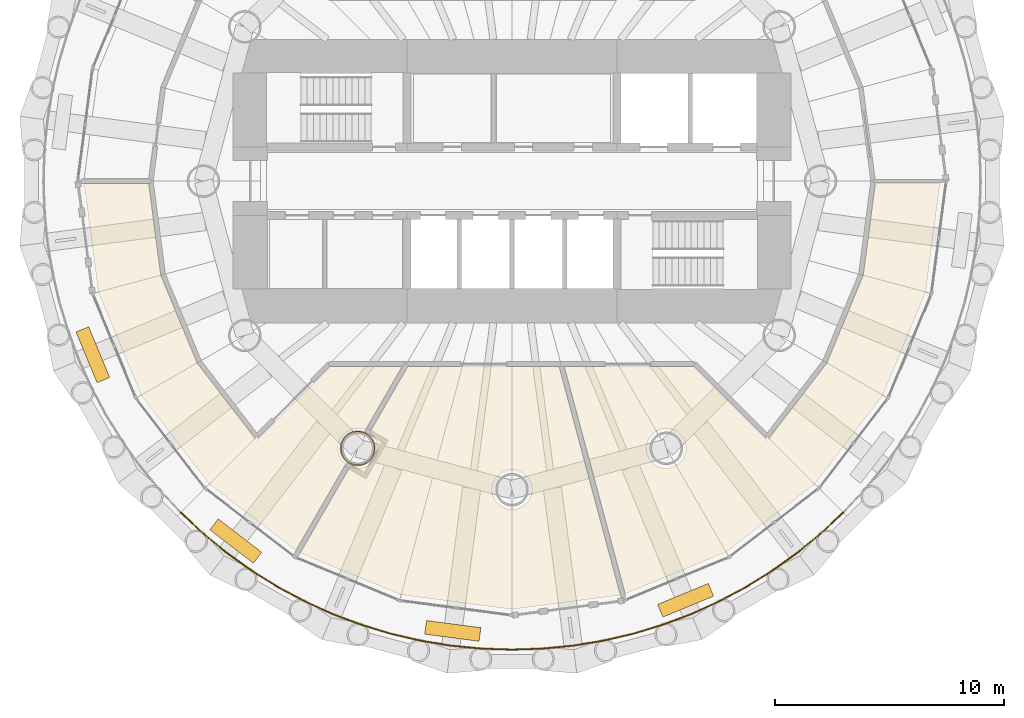
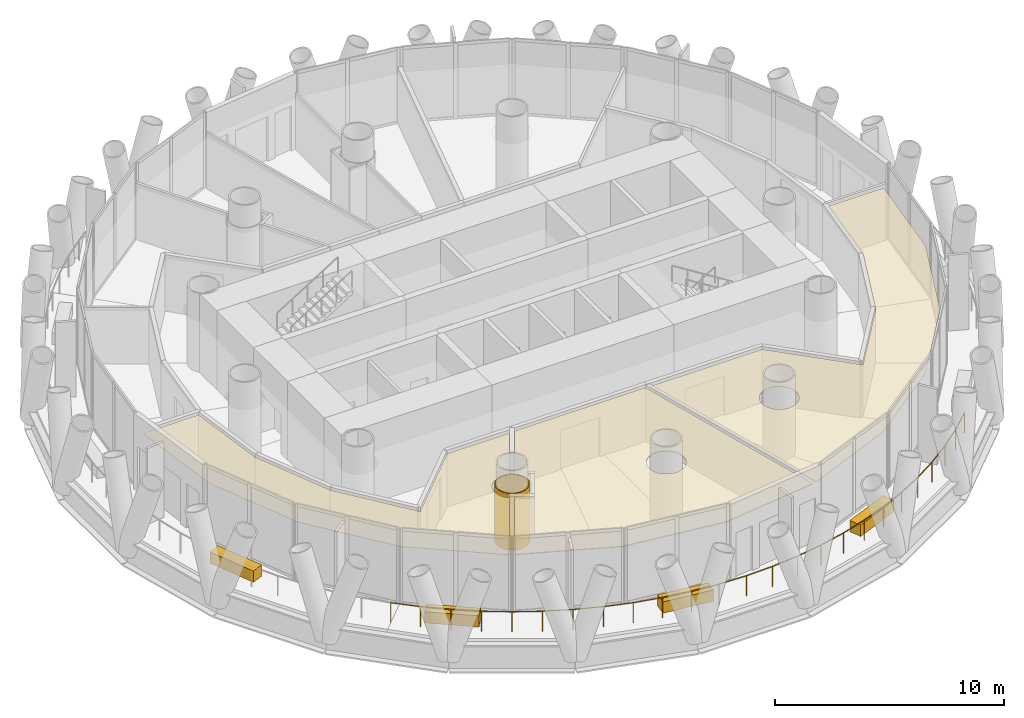
# One storey, part 13 of 16: 8 coverings, 1 railing.
"""IFC4 building model written with IfcOpenShell, lengths in metres."""

from ifc_helpers import new_model, si_unit, direction, frame, origin, origin_2d, place, context, subcontext, project, spatial, polyline, rectangle, circle, outline, extrude, material, layer, layer_set, type_object, element, save


model = new_model("IFC4")

# Units and contexts
model_context = context("Model", 3, precision=1e-05, world=origin(), true_north=direction((0.0, 1.0)))
body_context = subcontext(model_context, "Body", "Model", "MODEL_VIEW")
ifc_project = project(units=[si_unit("LENGTHUNIT", "METRE"), si_unit("AREAUNIT", "SQUARE_METRE"), si_unit("VOLUMEUNIT", "CUBIC_METRE"), si_unit("PLANEANGLEUNIT", "RADIAN"), si_unit("MASSUNIT", "GRAM", prefix="KILO")], contexts=[model_context])

# Site, building, storey
site_placement = place(None, origin())
site = spatial("IfcSite", under=ifc_project, at=site_placement, CompositionType="ELEMENT")
building_placement = place(site_placement, origin())
building = spatial("IfcBuilding", under=site, at=building_placement, Name="Qaws Media Tower", CompositionType="ELEMENT")
storey_placement = place(building_placement, frame((0.0, 0.0, 269.60009765625)))
storey = spatial("IfcBuildingStorey", under=building, at=storey_placement, Name="L62", CompositionType="ELEMENT", Elevation=269.60009765625)

# Covering
ifc_material_1 = material(Name="40 perforated acoustic panels with mineral wool backing, suspended", Category="mineral fibre")
ifc_layer_1 = layer(ifc_material_1, 0.0400390625)
ifc_layer_set_1 = layer_set([ifc_layer_1], Name="Acoustic panel ceiling 40")
covering_type_1 = type_object("IfcCoveringType", Name="Acoustic panel ceiling 40", PredefinedType="CEILING", material=ifc_layer_set_1)
covering_1_placement = place(storey_placement, frame((0.0, 0.0, 2.849853515625)))
element("IfcCovering", 1, at=covering_1_placement, inside=storey, type_object=covering_type_1, Name="CL3 ceiling L62-10 Board dining room", PredefinedType="CEILING", context=body_context, shape_type="SweptSolid", body=[
    extrude(outline(polyline([(60.0, 31.264892578125), (55.15087890625, 31.9033203125), (50.7373046875, 33.7314453125), (52.91552734375, 37.50439453125), (53.024658203125, 37.46728515625), (53.13623046875, 37.445068359375), (53.25, 37.437744140625), (53.36376953125, 37.445068359375), (53.475341796875, 37.46728515625), (53.583251953125, 37.50390625), (53.685546875, 37.55419921875), (53.7802734375, 37.61767578125), (53.865966796875, 37.69287109375), (53.94091796875, 37.7783203125), (54.00439453125, 37.873291015625), (54.0546875, 37.975341796875), (54.09130859375, 38.083251953125), (54.113525390625, 38.195068359375), (54.12109375, 38.30859375), (54.113525390625, 38.42236328125), (54.09130859375, 38.5341796875), (54.0546875, 38.64208984375), (54.00439453125, 38.744140625), (53.94091796875, 38.8388671875), (53.865966796875, 38.924560546875), (53.779296875, 39.000244140625), (55.446044921875, 41.887451171875), (62.057373046875, 41.887451171875), (64.736572265625, 31.88818359375), (60.0, 31.264892578125)]), holes=[polyline([(60.84130859375, 36.274658203125), (60.863525390625, 36.38623046875), (60.87109375, 36.5), (60.863525390625, 36.61376953125), (60.84130859375, 36.725341796875), (60.8046875, 36.833251953125), (60.75439453125, 36.935546875), (60.69091796875, 37.0302734375), (60.615966796875, 37.115966796875), (60.5302734375, 37.19091796875), (60.435546875, 37.25439453125), (60.333251953125, 37.3046875), (60.225341796875, 37.34130859375), (60.11376953125, 37.363525390625), (60.0, 37.37109375), (59.88623046875, 37.363525390625), (59.774658203125, 37.34130859375), (59.666748046875, 37.3046875), (59.564453125, 37.25439453125), (59.4697265625, 37.19091796875), (59.384033203125, 37.115966796875), (59.30908203125, 37.0302734375), (59.24560546875, 36.935546875), (59.1953125, 36.833251953125), (59.15869140625, 36.725341796875), (59.136474609375, 36.61376953125), (59.12890625, 36.5), (59.136474609375, 36.38623046875), (59.15869140625, 36.274658203125), (59.1953125, 36.166748046875), (59.24560546875, 36.064453125), (59.30908203125, 35.9697265625), (59.384033203125, 35.884033203125), (59.4697265625, 35.80908203125), (59.564453125, 35.74560546875), (59.666748046875, 35.6953125), (59.774658203125, 35.65869140625), (59.88623046875, 35.636474609375), (60.0, 35.62890625), (60.11376953125, 35.636474609375), (60.225341796875, 35.65869140625), (60.333251953125, 35.6953125), (60.435546875, 35.74560546875), (60.5302734375, 35.80908203125), (60.615966796875, 35.884033203125), (60.69091796875, 35.9697265625), (60.75439453125, 36.064453125), (60.8046875, 36.166748046875), (60.84130859375, 36.274658203125)])]), origin(), (0.0, 0.0, 1.0), 0.0400390625),
])

# Railing
ifc_material_2 = material(Name="Stainless steel and glass guard", Category="steel")
railing_type = type_object("IfcRailingType", Name="Balcony guard 1100", PredefinedType="GUARDRAIL", material=ifc_material_2)
railing_placement = place(storey_placement, frame((45.50439453125, 35.50439453125, 0.0)))
element("IfcRailing", 2, at=railing_placement, inside=storey, type_object=railing_type, Name="GR1 balcony guard L62-3", PredefinedType="GUARDRAIL", context=body_context, shape_type="SweptSolid", body=[
    extrude(circle(Radius=0.02392578125, at=origin_2d()), frame((0.0, 0.0, 1.076171875), z_axis=(0.729843627295, -0.683614130703, 0.0), x_axis=(0.683614130703, 0.729843627295, 0.0)), (0.0, 0.0, 1.0), 1.34130859375),
    extrude(circle(Radius=0.02392578125, at=origin_2d()), frame((0.97900390625, -0.9169921875, 1.076171875), z_axis=(0.773032183029, -0.634366805564, 0.0), x_axis=(0.634366805564, 0.773032183029, 0.0)), (0.0, 0.0, 1.0), 1.341552734375),
    extrude(circle(Radius=0.02392578125, at=origin_2d()), frame((2.01611328125, -1.76806640625, 1.076171875), z_axis=(0.812785530417, -0.582563027959, 0.0), x_axis=(0.582563027959, 0.812785530417, 0.0)), (0.0, 0.0, 1.0), 1.341552734375),
    extrude(circle(Radius=0.02392578125, at=origin_2d()), frame((3.1064453125, -2.549560546875, 1.076171875), z_axis=(0.849243416954, -0.528001532915, 0.0), x_axis=(0.528001532915, 0.849243416954, 0.0)), (0.0, 0.0, 1.0), 1.34130859375),
    extrude(circle(Radius=0.02392578125, at=origin_2d()), frame((4.24560546875, -3.2578125, 1.076171875), z_axis=(0.881863833412, -0.471504166812, 0.0), x_axis=(0.471504166812, 0.881863833412, 0.0)), (0.0, 0.0, 1.0), 1.341552734375),
    extrude(circle(Radius=0.02392578125, at=origin_2d()), frame((5.4287109375, -3.890380859375, 1.076171875), z_axis=(0.910914173392, -0.412595890326, 0.0), x_axis=(0.412595890326, 0.910914173392, 0.0)), (0.0, 0.0, 1.0), 1.34130859375),
    extrude(circle(Radius=0.02392578125, at=origin_2d()), frame((6.650634765625, -4.44384765625, 1.076171875), z_axis=(0.9358646247, -0.352359765348, 0.0), x_axis=(0.352359765348, 0.9358646247, 0.0)), (0.0, 0.0, 1.0), 1.34130859375),
    extrude(circle(Radius=0.02392578125, at=origin_2d()), frame((7.906005859375, -4.91650390625, 1.076171875), z_axis=(0.956940177108, -0.290285200169, 0.0), x_axis=(0.290285200169, 0.956940177108, 0.0)), (0.0, 0.0, 1.0), 1.341552734375),
    extrude(circle(Radius=0.02392578125, at=origin_2d()), frame((9.189697265625, -5.305908203125, 1.076171875), z_axis=(0.97387341283, -0.227091558149, 0.0), x_axis=(0.227091558149, 0.97387341283, 0.0)), (0.0, 0.0, 1.0), 1.341796875),
    extrude(circle(Radius=0.02392578125, at=origin_2d()), frame((10.496337890625, -5.610595703125, 1.076171875), z_axis=(0.986643645727, -0.162893573681, 0.0), x_axis=(0.162893573681, 0.986643645727, 0.0)), (0.0, 0.0, 1.0), 1.34130859375),
    extrude(circle(Radius=0.02392578125, at=origin_2d()), frame((11.81982421875, -5.8291015625, 1.076171875), z_axis=(0.995194503808, -0.097917820601, 0.0), x_axis=(0.097917820601, 0.995194503808, 0.0)), (0.0, 0.0, 1.0), 1.34130859375),
    extrude(circle(Radius=0.02392578125, at=origin_2d()), frame((13.15478515625, -5.96044921875, 1.076171875), z_axis=(0.999463333803, -0.03275735617, 0.0), x_axis=(0.03275735617, 0.999463333803, 0.0)), (0.0, 0.0, 1.0), 1.341552734375),
    extrude(circle(Radius=0.02392578125, at=origin_2d()), frame((14.49560546875, -6.00439453125, 1.076171875), z_axis=(0.999463333803, 0.03275735617, 0.0), x_axis=(-0.03275735617, 0.999463333803, 0.0)), (0.0, 0.0, 1.0), 1.341552734375),
    extrude(circle(Radius=0.02392578125, at=origin_2d()), frame((15.83642578125, -5.96044921875, 1.076171875), z_axis=(0.995194503808, 0.097917820601, 0.0), x_axis=(-0.097917820601, 0.995194503808, 0.0)), (0.0, 0.0, 1.0), 1.34130859375),
    extrude(circle(Radius=0.02392578125, at=origin_2d()), frame((17.17138671875, -5.8291015625, 1.076171875), z_axis=(0.986643645727, 0.162893573681, 0.0), x_axis=(-0.162893573681, 0.986643645727, 0.0)), (0.0, 0.0, 1.0), 1.34130859375),
    extrude(circle(Radius=0.02392578125, at=origin_2d()), frame((18.494873046875, -5.610595703125, 1.076171875), z_axis=(0.97387341283, 0.227091558149, 0.0), x_axis=(-0.227091558149, 0.97387341283, 0.0)), (0.0, 0.0, 1.0), 1.341796875),
    extrude(circle(Radius=0.02392578125, at=origin_2d()), frame((19.801513671875, -5.305908203125, 1.076171875), z_axis=(0.956940177108, 0.290285200169, 0.0), x_axis=(-0.290285200169, 0.956940177108, 0.0)), (0.0, 0.0, 1.0), 1.341552734375),
    extrude(circle(Radius=0.02392578125, at=origin_2d()), frame((21.085205078125, -4.91650390625, 1.076171875), z_axis=(0.9358646247, 0.352359765348, 0.0), x_axis=(-0.352359765348, 0.9358646247, 0.0)), (0.0, 0.0, 1.0), 1.34130859375),
    extrude(circle(Radius=0.02392578125, at=origin_2d()), frame((22.340576171875, -4.44384765625, 1.076171875), z_axis=(0.910914173392, 0.412595890326, 0.0), x_axis=(-0.412595890326, 0.910914173392, 0.0)), (0.0, 0.0, 1.0), 1.34130859375),
    extrude(circle(Radius=0.02392578125, at=origin_2d()), frame((23.5625, -3.890380859375, 1.076171875), z_axis=(0.881863833412, 0.471504166812, 0.0), x_axis=(-0.471504166812, 0.881863833412, 0.0)), (0.0, 0.0, 1.0), 1.341552734375),
    extrude(circle(Radius=0.02392578125, at=origin_2d()), frame((24.74560546875, -3.2578125, 1.076171875), z_axis=(0.849243416954, 0.528001532915, 0.0), x_axis=(-0.528001532915, 0.849243416954, 0.0)), (0.0, 0.0, 1.0), 1.34130859375),
    extrude(circle(Radius=0.02392578125, at=origin_2d()), frame((25.884765625, -2.549560546875, 1.076171875), z_axis=(0.812785530417, 0.582563027959, 0.0), x_axis=(-0.582563027959, 0.812785530417, 0.0)), (0.0, 0.0, 1.0), 1.341552734375),
    extrude(circle(Radius=0.02392578125, at=origin_2d()), frame((26.97509765625, -1.76806640625, 1.076171875), z_axis=(0.773032183029, 0.634366805564, 0.0), x_axis=(-0.634366805564, 0.773032183029, 0.0)), (0.0, 0.0, 1.0), 1.341552734375),
    extrude(circle(Radius=0.02392578125, at=origin_2d()), frame((28.01220703125, -0.9169921875, 1.076171875), z_axis=(0.729843627295, 0.683614130703, 0.0), x_axis=(-0.683614130703, 0.729843627295, 0.0)), (0.0, 0.0, 1.0), 1.34130859375),
    extrude(circle(Radius=0.02099609375, at=origin_2d()), origin(), (0.0, 0.0, 1.0), 1.052001953125),
    extrude(circle(Radius=0.02099609375, at=origin_2d()), frame((0.97900390625, -0.9169921875, 0.0)), (0.0, 0.0, 1.0), 1.052001953125),
    extrude(circle(Radius=0.02099609375, at=origin_2d()), frame((2.01611328125, -1.76806640625, 0.0)), (0.0, 0.0, 1.0), 1.052001953125),
    extrude(circle(Radius=0.02099609375, at=origin_2d()), frame((3.1064453125, -2.549560546875, 0.0)), (0.0, 0.0, 1.0), 1.052001953125),
    extrude(circle(Radius=0.02099609375, at=origin_2d()), frame((4.24560546875, -3.2578125, 0.0)), (0.0, 0.0, 1.0), 1.052001953125),
    extrude(circle(Radius=0.02099609375, at=origin_2d()), frame((5.4287109375, -3.890380859375, 0.0)), (0.0, 0.0, 1.0), 1.052001953125),
    extrude(circle(Radius=0.02099609375, at=origin_2d()), frame((6.650634765625, -4.44384765625, 0.0)), (0.0, 0.0, 1.0), 1.052001953125),
    extrude(circle(Radius=0.02099609375, at=origin_2d()), frame((7.906005859375, -4.91650390625, 0.0)), (0.0, 0.0, 1.0), 1.052001953125),
    extrude(circle(Radius=0.02099609375, at=origin_2d()), frame((9.189697265625, -5.305908203125, 0.0)), (0.0, 0.0, 1.0), 1.052001953125),
    extrude(circle(Radius=0.02099609375, at=origin_2d()), frame((10.496337890625, -5.610595703125, 0.0)), (0.0, 0.0, 1.0), 1.052001953125),
    extrude(circle(Radius=0.02099609375, at=origin_2d()), frame((11.81982421875, -5.8291015625, 0.0)), (0.0, 0.0, 1.0), 1.052001953125),
    extrude(circle(Radius=0.02099609375, at=origin_2d()), frame((13.15478515625, -5.96044921875, 0.0)), (0.0, 0.0, 1.0), 1.052001953125),
    extrude(circle(Radius=0.02099609375, at=origin_2d()), frame((14.49560546875, -6.00439453125, 0.0)), (0.0, 0.0, 1.0), 1.052001953125),
    extrude(circle(Radius=0.02099609375, at=origin_2d()), frame((15.83642578125, -5.96044921875, 0.0)), (0.0, 0.0, 1.0), 1.052001953125),
    extrude(circle(Radius=0.02099609375, at=origin_2d()), frame((17.17138671875, -5.8291015625, 0.0)), (0.0, 0.0, 1.0), 1.052001953125),
    extrude(circle(Radius=0.02099609375, at=origin_2d()), frame((18.494873046875, -5.610595703125, 0.0)), (0.0, 0.0, 1.0), 1.052001953125),
    extrude(circle(Radius=0.02099609375, at=origin_2d()), frame((19.801513671875, -5.305908203125, 0.0)), (0.0, 0.0, 1.0), 1.052001953125),
    extrude(circle(Radius=0.02099609375, at=origin_2d()), frame((21.085205078125, -4.91650390625, 0.0)), (0.0, 0.0, 1.0), 1.052001953125),
    extrude(circle(Radius=0.02099609375, at=origin_2d()), frame((22.340576171875, -4.44384765625, 0.0)), (0.0, 0.0, 1.0), 1.052001953125),
    extrude(circle(Radius=0.02099609375, at=origin_2d()), frame((23.5625, -3.890380859375, 0.0)), (0.0, 0.0, 1.0), 1.052001953125),
    extrude(circle(Radius=0.02099609375, at=origin_2d()), frame((24.74560546875, -3.2578125, 0.0)), (0.0, 0.0, 1.0), 1.052001953125),
    extrude(circle(Radius=0.02099609375, at=origin_2d()), frame((25.884765625, -2.549560546875, 0.0)), (0.0, 0.0, 1.0), 1.052001953125),
    extrude(circle(Radius=0.02099609375, at=origin_2d()), frame((26.97509765625, -1.76806640625, 0.0)), (0.0, 0.0, 1.0), 1.052001953125),
    extrude(circle(Radius=0.02099609375, at=origin_2d()), frame((28.01220703125, -0.9169921875, 0.0)), (0.0, 0.0, 1.0), 1.052001953125),
    extrude(circle(Radius=0.02099609375, at=origin_2d()), frame((28.9912109375, 0.0, 0.0)), (0.0, 0.0, 1.0), 1.052001953125),
])

# Coverings
ifc_material_3 = material(Name="Two layers 15 fire-rated gypsum board on steel framing", Category="steel")
ifc_layer_2 = layer(ifc_material_3, 0.050048828125)
ifc_layer_set_2 = layer_set([ifc_layer_2], Name="Column fire casing")
covering_type_2 = type_object("IfcCoveringType", Name="Column fire casing", PredefinedType="CLADDING", material=ifc_layer_set_2)
covering_2_placement = place(storey_placement, origin())
element("IfcCovering", 3, at=covering_2_placement, inside=storey, type_object=covering_type_2, Name="CC1 column casing L62", PredefinedType="CLADDING", context=body_context, shape_type="SweptSolid", body=[
    extrude(outline(polyline([(54.01611328125, 38.30859375), (54.009521484375, 38.208740234375), (53.989990234375, 38.1103515625), (53.957763671875, 38.015380859375), (53.913330078125, 37.92578125), (53.857666015625, 37.84228515625), (53.79150390625, 37.76708984375), (53.71630859375, 37.700927734375), (53.633056640625, 37.645263671875), (53.543212890625, 37.60107421875), (53.4482421875, 37.56884765625), (53.35009765625, 37.54931640625), (53.25, 37.542724609375), (53.14990234375, 37.54931640625), (53.0517578125, 37.56884765625), (52.956787109375, 37.60107421875), (52.866943359375, 37.645263671875), (52.78369140625, 37.700927734375), (52.70849609375, 37.76708984375), (52.642333984375, 37.84228515625), (52.586669921875, 37.92578125), (52.542236328125, 38.015380859375), (52.510009765625, 38.1103515625), (52.490478515625, 38.208740234375), (52.48388671875, 38.30859375), (52.490478515625, 38.40869140625), (52.510009765625, 38.5068359375), (52.542236328125, 38.601806640625), (52.586669921875, 38.691650390625), (52.642333984375, 38.77490234375), (52.70849609375, 38.850341796875), (52.78369140625, 38.91650390625), (52.866943359375, 38.971923828125), (52.956787109375, 39.016357421875), (53.0517578125, 39.048583984375), (53.14990234375, 39.068115234375), (53.25, 39.07470703125), (53.35009765625, 39.068115234375), (53.4482421875, 39.048583984375), (53.543212890625, 39.016357421875), (53.633056640625, 38.971923828125), (53.71630859375, 38.91650390625), (53.79150390625, 38.850341796875), (53.857666015625, 38.77490234375), (53.913330078125, 38.691650390625), (53.957763671875, 38.601806640625), (53.989990234375, 38.5068359375), (54.009521484375, 38.40869140625), (54.01611328125, 38.30859375)]), holes=[polyline([(53.964111328125, 38.30859375), (53.9580078125, 38.215576171875), (53.939697265625, 38.123779296875), (53.90966796875, 38.035400390625), (53.868408203125, 37.95166015625), (53.81640625, 37.8740234375), (53.7548828125, 37.8037109375), (53.684814453125, 37.7421875), (53.60693359375, 37.690185546875), (53.523193359375, 37.64892578125), (53.434814453125, 37.618896484375), (53.34326171875, 37.600830078125), (53.25, 37.5947265625), (53.15673828125, 37.600830078125), (53.065185546875, 37.618896484375), (52.976806640625, 37.64892578125), (52.89306640625, 37.690185546875), (52.815185546875, 37.7421875), (52.7451171875, 37.8037109375), (52.68359375, 37.8740234375), (52.631591796875, 37.95166015625), (52.59033203125, 38.035400390625), (52.560302734375, 38.123779296875), (52.5419921875, 38.215576171875), (52.535888671875, 38.30859375), (52.5419921875, 38.40185546875), (52.560302734375, 38.493408203125), (52.59033203125, 38.581787109375), (52.631591796875, 38.665771484375), (52.68359375, 38.743408203125), (52.7451171875, 38.8134765625), (52.815185546875, 38.875), (52.89306640625, 38.927001953125), (52.976806640625, 38.96826171875), (53.065185546875, 38.998291015625), (53.15673828125, 39.0166015625), (53.25, 39.022705078125), (53.34326171875, 39.0166015625), (53.434814453125, 38.998291015625), (53.523193359375, 38.96826171875), (53.60693359375, 38.927001953125), (53.684814453125, 38.875), (53.7548828125, 38.8134765625), (53.81640625, 38.743408203125), (53.868408203125, 38.665771484375), (53.90966796875, 38.581787109375), (53.939697265625, 38.493408203125), (53.9580078125, 38.40185546875), (53.964111328125, 38.30859375)])]), origin(), (0.0, 0.0, 1.0), 3.02001953125),
])
ifc_material_4 = material(Name="600 x 600 mineral fibre tiles in exposed grid, suspended", Category="mineral fibre")
ifc_layer_3 = layer(ifc_material_4, 0.02001953125)
ifc_layer_set_3 = layer_set([ifc_layer_3], Name="Mineral fibre tile ceiling 20")
covering_type_3 = type_object("IfcCoveringType", Name="Mineral fibre tile ceiling 20", PredefinedType="CEILING", material=ifc_layer_set_3)
covering_3_placement = place(storey_placement, frame((0.0, 0.0, 2.849853515625)))
element("IfcCovering", 4, at=covering_3_placement, inside=storey, type_object=covering_type_3, Name="CL1 ceiling L62-09 Directors' lounge", PredefinedType="CEILING", context=body_context, shape_type="SweptSolid", body=[
    extrude(outline(polyline([(46.752197265625, 36.752197265625), (43.77490234375, 40.63232421875), (41.9033203125, 45.15087890625), (41.279541015625, 49.887451171875), (44.101318359375, 49.887451171875), (44.62890625, 45.88134765625), (46.218505859375, 42.043212890625), (48.816650390625, 38.657470703125), (52.046630859375, 41.887451171875), (55.186279296875, 41.887451171875), (53.58447265625, 39.11279296875), (53.475341796875, 39.14990234375), (53.36376953125, 39.172119140625), (53.25, 39.1796875), (53.13623046875, 39.172119140625), (53.024658203125, 39.14990234375), (52.916748046875, 39.11328125), (52.814453125, 39.06298828125), (52.7197265625, 38.999755859375), (52.634033203125, 38.924560546875), (52.55908203125, 38.8388671875), (52.49560546875, 38.744140625), (52.4453125, 38.64208984375), (52.40869140625, 38.5341796875), (52.386474609375, 38.42236328125), (52.37890625, 38.30859375), (52.386474609375, 38.195068359375), (52.40869140625, 38.083251953125), (52.4453125, 37.975341796875), (52.49560546875, 37.873291015625), (52.55908203125, 37.7783203125), (52.634033203125, 37.69287109375), (52.720703125, 37.616943359375), (50.54248046875, 33.843994140625), (46.752197265625, 36.752197265625)])), origin(), (0.0, 0.0, 1.0), 0.02001953125),
])
ifc_material_5 = material(Name="Precast concrete planter with trailing planting", Category="concrete")
ifc_layer_4 = layer(ifc_material_5, 0.60009765625)
ifc_layer_set_4 = layer_set([ifc_layer_4], Name="Planter 2400x600")
covering_type_4 = type_object("IfcCoveringType", Name="Planter 2400x600", PredefinedType="USERDEFINED", material=ifc_layer_set_4)
for number, where, z_axis, x_axis, name in (
    (5, (41.660888671875, 42.40380859375, -0.000244140625), (0.0, 0.0, 1.0), (0.382683432365, -0.923879532511, 0.0), "PL1 balcony planter L62-07"),
    (6, (47.916015625, 34.251953125, -0.000244140625), (0.0, 0.0, 1.0), (0.793353340291, -0.608761429009, 0.0), "PL1 balcony planter L62-08"),
    (7, (57.408935546875, 30.31982421875, -0.000244140625), (0.0, 0.0, 1.0), (0.991444861374, -0.13052619222, 0.0), "PL1 balcony planter L62-09"),
    (8, (67.59619140625, 31.660888671875, -0.000244140625), (0.0, 0.0, 1.0), (0.923879532511, 0.382683432365, 0.0), "PL1 balcony planter L62-10"),
):
    element("IfcCovering", number, at=place(storey_placement, frame(where, z_axis=z_axis, x_axis=x_axis)), inside=storey, type_object=covering_type_4, Name=name, ObjectType="PLANTER", PredefinedType="USERDEFINED", context=body_context, shape_type="SweptSolid", body=[
        extrude(rectangle(XDim=2.39990234375, YDim=0.60009765625, at=origin_2d()), origin(), (0.0, 0.0, 1.0), 0.60009765625),
    ])
ifc_material_6 = material(Name="Two layers 12.5 moisture-resistant plasterboard on suspended metal furring", Category="gypsum")
ifc_layer_5 = layer(ifc_material_6, 0.02490234375)
ifc_layer_set_5 = layer_set([ifc_layer_5], Name="Plasterboard ceiling 25")
covering_type_5 = type_object("IfcCoveringType", Name="Plasterboard ceiling 25", PredefinedType="CEILING", material=ifc_layer_set_5)
covering_4_placement = place(storey_placement, frame((0.0, 0.0, 2.849853515625)))
element("IfcCovering", 9, at=covering_4_placement, inside=storey, type_object=covering_type_5, Name="CL2 ceiling L62-11 Board office", PredefinedType="CEILING", context=body_context, shape_type="SweptSolid", body=[
    extrude(outline(polyline([(78.0966796875, 45.15087890625), (76.22509765625, 40.63232421875), (73.247802734375, 36.752197265625), (69.36767578125, 33.77490234375), (64.953857421875, 31.946533203125), (62.290283203125, 41.887451171875), (67.953369140625, 41.887451171875), (71.183349609375, 38.657470703125), (73.781494140625, 42.043212890625), (75.37109375, 45.88134765625), (75.898681640625, 49.887451171875), (78.720458984375, 49.887451171875), (78.0966796875, 45.15087890625)]), holes=[polyline([(67.5546875, 37.975341796875), (67.59130859375, 38.083251953125), (67.613525390625, 38.195068359375), (67.62109375, 38.30859375), (67.613525390625, 38.42236328125), (67.59130859375, 38.5341796875), (67.5546875, 38.64208984375), (67.50439453125, 38.744140625), (67.44091796875, 38.8388671875), (67.365966796875, 38.924560546875), (67.2802734375, 38.999755859375), (67.185546875, 39.06298828125), (67.083251953125, 39.11328125), (66.975341796875, 39.14990234375), (66.86376953125, 39.172119140625), (66.75, 39.1796875), (66.63623046875, 39.172119140625), (66.524658203125, 39.14990234375), (66.416748046875, 39.11328125), (66.314453125, 39.06298828125), (66.2197265625, 38.999755859375), (66.134033203125, 38.924560546875), (66.05908203125, 38.8388671875), (65.99560546875, 38.744140625), (65.9453125, 38.64208984375), (65.90869140625, 38.5341796875), (65.886474609375, 38.42236328125), (65.87890625, 38.30859375), (65.886474609375, 38.195068359375), (65.90869140625, 38.083251953125), (65.9453125, 37.975341796875), (65.99560546875, 37.873291015625), (66.05908203125, 37.7783203125), (66.134033203125, 37.69287109375), (66.2197265625, 37.61767578125), (66.314453125, 37.55419921875), (66.416748046875, 37.50390625), (66.524658203125, 37.46728515625), (66.63623046875, 37.445068359375), (66.75, 37.437744140625), (66.86376953125, 37.445068359375), (66.975341796875, 37.46728515625), (67.083251953125, 37.50390625), (67.185546875, 37.55419921875), (67.2802734375, 37.61767578125), (67.365966796875, 37.69287109375), (67.44091796875, 37.7783203125), (67.50439453125, 37.873291015625), (67.5546875, 37.975341796875)])]), origin(), (0.0, 0.0, 1.0), 0.025146484375),
])

save(model, "model.ifc")
